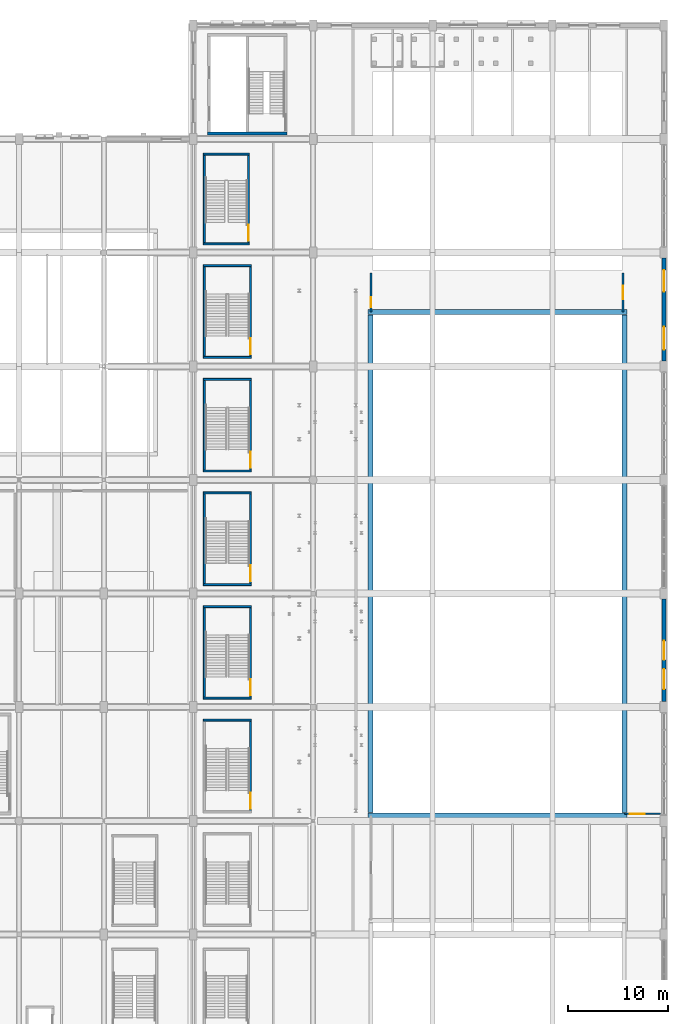
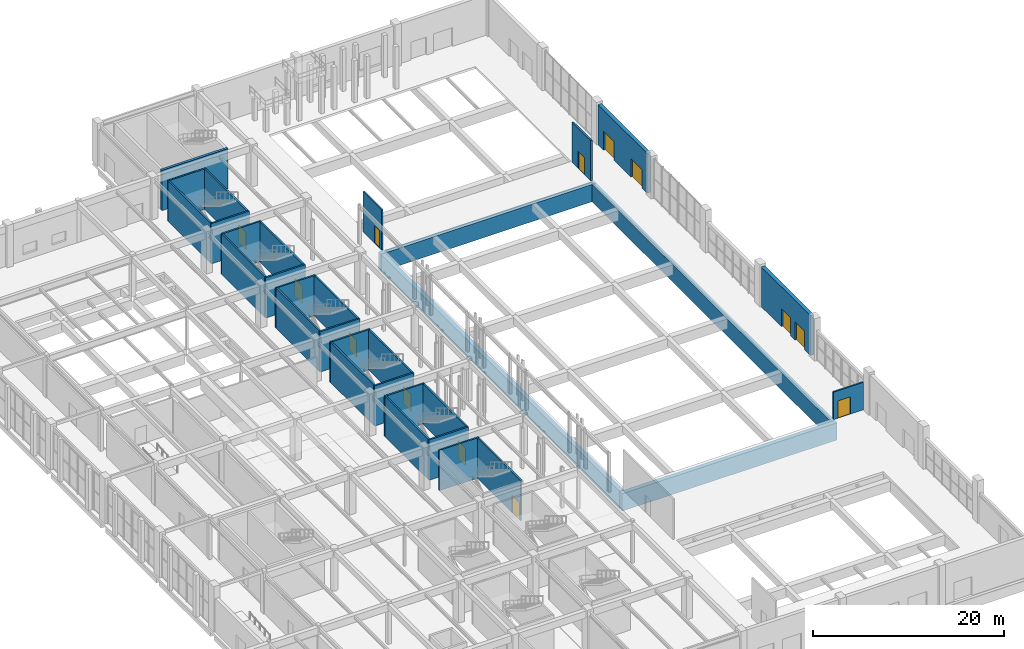
# One storey, part 92 of 113: 32 walls, 13 doors, 13 openings.
"""IFC4 building model written with IfcOpenShell, lengths in metres."""

from ifc_helpers import new_model, si_unit, direction, frame, frame_2d, origin, place, context, subcontext, project, spatial, rectangle, extrude, material, layer, layer_set, type_object, element, fill, save


model = new_model("IFC4")

# Units and contexts
model_context = context("Model", 3, precision=1e-05, world=origin(), true_north=direction((0.0, 1.0)))
body_context = subcontext(model_context, "Body", "Model", "MODEL_VIEW")
ifc_project = project(units=[si_unit("LENGTHUNIT", "METRE"), si_unit("AREAUNIT", "SQUARE_METRE"), si_unit("VOLUMEUNIT", "CUBIC_METRE"), si_unit("PLANEANGLEUNIT", "RADIAN"), si_unit("MASSUNIT", "GRAM", prefix="KILO"), si_unit("POWERUNIT", "WATT"), si_unit("THERMODYNAMICTEMPERATUREUNIT", "KELVIN")], contexts=[model_context])

# Site, building, storey
site_placement = place(None, origin())
site = spatial("IfcSite", under=ifc_project, at=site_placement, CompositionType="ELEMENT")
building_placement = place(site_placement, origin())
building = spatial("IfcBuilding", under=site, at=building_placement, Name="Kelmbourne Parkland Aquatics Centre", CompositionType="ELEMENT")
storey_placement = place(building_placement, origin())
storey = spatial("IfcBuildingStorey", under=building, at=storey_placement, Name="L00", CompositionType="ELEMENT", Elevation=0.0)

# Wall
ifc_material_1 = material(Name="Concrete C40/50", Category="concrete")
ifc_layer_1 = layer(ifc_material_1, 0.300048828125)
ifc_layer_set_1 = layer_set([ifc_layer_1], Name="Concrete C40/50")
wall_type_1 = type_object("IfcWallType", Name="W-CORE-300", PredefinedType="SHEAR", material=ifc_layer_set_1)
wall_1_placement = place(storey_placement, frame((129.39990234375, 103.949951171875, 0.0), z_axis=(0.0, 0.0, 1.0), x_axis=(1.0, 0.0, 0.0)))
element("IfcWall", 1, at=wall_1_placement, inside=storey, type_object=wall_type_1, Name="North Diving Control Fire-Fighting Core south wall (L00)", PredefinedType="SHEAR", context=body_context, shape_type="SweptSolid", body=[
    extrude(rectangle(XDim=8.0, YDim=0.300048828125, at=frame_2d((4.0, 0.0))), origin(), (0.0, 0.0, 1.0), 5.159912109375),
])

# Wall, openings, doors
ifc_material_2 = material(Name="Dark manganite base-course brickwork", Category="masonry")
ifc_layer_2 = layer(ifc_material_2, 0.429931640625)
ifc_layer_set_2 = layer_set([ifc_layer_2], Name="Dark manganite base-course brickwork")
wall_type_2 = type_object("IfcWallType", Name="W-EXT-430", PredefinedType="STANDARD", material=ifc_layer_set_2)
wall_2_placement = place(storey_placement, frame((175.199951171875, 46.951904296875, 0.0), z_axis=(0.0, 0.0, 1.0), x_axis=(0.0, 1.0, 0.0)))
wall_2 = element("IfcWall", 2, at=wall_2_placement, inside=storey, type_object=wall_type_2, Name="Exterior polychrome brick wall EW-L00-048", PredefinedType="STANDARD", context=body_context, shape_type="SweptSolid", body=[
    extrude(rectangle(XDim=10.296142578125, YDim=0.429931640625, at=frame_2d((5.14794921875, 0.0))), origin(), (0.0, 0.0, 1.0), 5.10009765625),
])
opening_1_placement = place(wall_2_placement, frame((1.26513671875, 0.0, 0.0)))
opening_1 = element("IfcOpeningElement", 3, at=opening_1_placement, cuts=wall_2, Name="Opening E35", PredefinedType="OPENING", context=body_context, shape_type="SweptSolid", body=[
    extrude(rectangle(XDim=2.0, YDim=2.35009765625, at=frame_2d((1.0, 1.175048828125))), frame((0.0, 0.22705078125, 0.0), z_axis=(0.0, -1.0, 0.0), x_axis=(1.0, 0.0, 0.0)), (0.0, 0.0, 1.0), 0.453857421875),
])
opening_2_placement = place(wall_2_placement, frame((4.197998046875, 0.0, 0.0)))
opening_2 = element("IfcOpeningElement", 4, at=opening_2_placement, cuts=wall_2, Name="Opening E36", PredefinedType="OPENING", context=body_context, shape_type="SweptSolid", body=[
    extrude(rectangle(XDim=1.89990234375, YDim=2.300048828125, at=frame_2d((0.949951171875, 1.14990234375))), frame((0.0, 0.22705078125, 0.0), z_axis=(0.0, -1.0, 0.0), x_axis=(1.0, 0.0, 0.0)), (0.0, 0.0, 1.0), 0.453857421875),
])
ifc_material_3 = material(Name="Thermally broken anodised aluminium commercial door", Category="aluminium")
ifc_layer_3 = layer(ifc_material_3, 0.06005859375)
ifc_layer_set_3 = layer_set([ifc_layer_3], Name="Thermally broken anodised aluminium commercial door")
door_type_1 = type_object("IfcDoorType", Name="DR-EXT-190", OperationType="NOTDEFINED", PredefinedType="DOOR", material=ifc_layer_set_3)
door_1_placement = place(opening_2_placement, frame((1.89990234375, 0.0, 0.0), z_axis=(0.0, 0.0, 1.0), x_axis=(-1.0, 0.0, 0.0)))
door_1 = element("IfcDoor", 5, at=door_1_placement, inside=storey, type_object=door_type_1, Name="Final exit double door E36", OperationType="DOUBLE_DOOR_SINGLE_SWING", OverallHeight=2.300048828125, OverallWidth=1.89990234375, PredefinedType="DOOR", context=body_context, shape_type="SweptSolid", body=[
    extrude(rectangle(XDim=1.89990234375, YDim=2.300048828125, at=frame_2d((0.949951171875, 1.14990234375))), frame((0.0, 0.02490234375, 0.0), z_axis=(0.0, -1.0, 0.0), x_axis=(1.0, 0.0, 0.0)), (0.0, 0.0, 1.0), 0.050048828125),
])
fill(opening_2, door_1)
ifc_layer_4 = layer(ifc_material_3, 0.06005859375)
ifc_layer_set_4 = layer_set([ifc_layer_4], Name="Thermally broken anodised aluminium commercial door")
door_type_2 = type_object("IfcDoorType", Name="DR-EXT-200", OperationType="NOTDEFINED", PredefinedType="DOOR", material=ifc_layer_set_4)
door_2_placement = place(opening_1_placement, frame((2.0, 0.0, 0.0), z_axis=(0.0, 0.0, 1.0), x_axis=(-1.0, 0.0, 0.0)))
door_2 = element("IfcDoor", 6, at=door_2_placement, inside=storey, type_object=door_type_2, Name="Final exit double door E35", OperationType="DOUBLE_DOOR_SINGLE_SWING", OverallHeight=2.35009765625, OverallWidth=2.0, PredefinedType="DOOR", context=body_context, shape_type="SweptSolid", body=[
    extrude(rectangle(XDim=2.0, YDim=2.35009765625, at=frame_2d((1.0, 1.175048828125))), frame((0.0, 0.02490234375, 0.0), z_axis=(0.0, -1.0, 0.0), x_axis=(1.0, 0.0, 0.0)), (0.0, 0.0, 1.0), 0.050048828125),
])
fill(opening_1, door_2)

wall_3_placement = place(storey_placement, frame((175.199951171875, 81.152099609375, 0.0), z_axis=(0.0, 0.0, 1.0), x_axis=(0.0, 1.0, 0.0)))
wall_3 = element("IfcWall", 7, at=wall_3_placement, inside=storey, type_object=wall_type_2, Name="Exterior polychrome brick wall EW-L00-049", PredefinedType="STANDARD", context=body_context, shape_type="SweptSolid", body=[
    extrude(rectangle(XDim=10.2958984375, YDim=0.429931640625, at=frame_2d((5.14794921875, 0.0))), origin(), (0.0, 0.0, 1.0), 5.10009765625),
])
opening_3_placement = place(wall_3_placement, frame((1.114990234375, 0.0, 0.0)))
opening_3 = element("IfcOpeningElement", 8, at=opening_3_placement, cuts=wall_3, Name="Opening E37", PredefinedType="OPENING", context=body_context, shape_type="SweptSolid", body=[
    extrude(rectangle(XDim=2.300048828125, YDim=2.39990234375, at=frame_2d((1.14990234375, 1.199951171875))), frame((0.0, 0.22705078125, 0.0), z_axis=(0.0, -1.0, 0.0), x_axis=(1.0, 0.0, 0.0)), (0.0, 0.0, 1.0), 0.453857421875),
])
opening_4_placement = place(wall_3_placement, frame((6.955810546875, 0.0, 0.0)))
opening_4 = element("IfcOpeningElement", 9, at=opening_4_placement, cuts=wall_3, Name="Opening E38", PredefinedType="OPENING", context=body_context, shape_type="SweptSolid", body=[
    extrude(rectangle(XDim=2.14990234375, YDim=2.39990234375, at=frame_2d((1.074951171875, 1.199951171875))), frame((0.0, 0.22705078125, 0.0), z_axis=(0.0, -1.0, 0.0), x_axis=(1.0, 0.0, 0.0)), (0.0, 0.0, 1.0), 0.453857421875),
])
ifc_layer_5 = layer(ifc_material_3, 0.06005859375)
ifc_layer_set_5 = layer_set([ifc_layer_5], Name="Thermally broken anodised aluminium commercial door")
door_type_3 = type_object("IfcDoorType", Name="DR-EXT-215", OperationType="NOTDEFINED", PredefinedType="DOOR", material=ifc_layer_set_5)
door_3_placement = place(opening_4_placement, frame((2.14990234375, 0.0, 0.0), z_axis=(0.0, 0.0, 1.0), x_axis=(-1.0, 0.0, 0.0)))
door_3 = element("IfcDoor", 10, at=door_3_placement, inside=storey, type_object=door_type_3, Name="Final exit double door E38", OperationType="DOUBLE_DOOR_SINGLE_SWING", OverallHeight=2.39990234375, OverallWidth=2.14990234375, PredefinedType="DOOR", context=body_context, shape_type="SweptSolid", body=[
    extrude(rectangle(XDim=2.14990234375, YDim=2.39990234375, at=frame_2d((1.074951171875, 1.199951171875))), frame((0.0, 0.02490234375, 0.0), z_axis=(0.0, -1.0, 0.0), x_axis=(1.0, 0.0, 0.0)), (0.0, 0.0, 1.0), 0.050048828125),
])
fill(opening_4, door_3)
ifc_layer_6 = layer(ifc_material_3, 0.06005859375)
ifc_layer_set_6 = layer_set([ifc_layer_6], Name="Thermally broken anodised aluminium commercial door")
door_type_4 = type_object("IfcDoorType", Name="DR-EXT-230", OperationType="NOTDEFINED", PredefinedType="DOOR", material=ifc_layer_set_6)
door_4_placement = place(opening_3_placement, frame((2.300048828125, 0.0, 0.0), z_axis=(0.0, 0.0, 1.0), x_axis=(-1.0, 0.0, 0.0)))
door_4 = element("IfcDoor", 11, at=door_4_placement, inside=storey, type_object=door_type_4, Name="Final exit double door E37", OperationType="DOUBLE_DOOR_SINGLE_SWING", OverallHeight=2.39990234375, OverallWidth=2.300048828125, PredefinedType="DOOR", context=body_context, shape_type="SweptSolid", body=[
    extrude(rectangle(XDim=2.300048828125, YDim=2.39990234375, at=frame_2d((1.14990234375, 1.199951171875))), frame((0.0, 0.02490234375, 0.0), z_axis=(0.0, -1.0, 0.0), x_axis=(1.0, 0.0, 0.0)), (0.0, 0.0, 1.0), 0.050048828125),
])
fill(opening_3, door_4)

# Walls
ifc_material_4 = material(Name="Concrete blockwork C32/40", Category="masonry")
ifc_layer_7 = layer(ifc_material_4, 0.199951171875)
ifc_layer_set_7 = layer_set([ifc_layer_7], Name="Concrete blockwork C32/40")
wall_type_3 = type_object("IfcWallType", Name="W-FIRE-200", PredefinedType="SOLIDWALL", material=ifc_layer_set_7)
for number, where, z_axis, x_axis, name in (
    (12, (129.0, 92.89990234375, 0.0), (0.0, 0.0, 1.0), (1.0, 0.0, 0.0), "Main Bowl North Concourse Exit Stair south enclosure (L00)"),
    (13, (129.0, 101.89990234375, 0.0), (0.0, 0.0, 1.0), (1.0, 0.0, 0.0), "Main Bowl North Concourse Exit Stair north enclosure (L00)"),
):
    element("IfcWall", number, at=place(storey_placement, frame(where, z_axis=z_axis, x_axis=x_axis)), inside=storey, type_object=wall_type_3, Name=name, PredefinedType="SOLIDWALL", context=body_context, shape_type="SweptSolid", body=[
        extrude(rectangle(XDim=4.60009765625, YDim=0.199951171875, at=frame_2d((2.300048828125, 0.0))), origin(), (0.0, 0.0, 1.0), 5.159912109375),
    ])
wall_4_placement = place(storey_placement, frame((129.10009765625, 93.0, 0.0), z_axis=(0.0, 0.0, 1.0), x_axis=(0.0, 1.0, 0.0)))
element("IfcWall", 14, at=wall_4_placement, inside=storey, type_object=wall_type_3, Name="Main Bowl North Concourse Exit Stair west enclosure (L00)", PredefinedType="SOLIDWALL", context=body_context, shape_type="SweptSolid", body=[
    extrude(rectangle(XDim=8.800048828125, YDim=0.199951171875, at=frame_2d((4.39990234375, 0.0))), origin(), (0.0, 0.0, 1.0), 5.159912109375),
])

# Wall, opening, door
wall_5_placement = place(storey_placement, frame((133.5, 93.0, 0.0), z_axis=(0.0, 0.0, 1.0), x_axis=(0.0, 1.0, 0.0)))
wall_5 = element("IfcWall", 15, at=wall_5_placement, inside=storey, type_object=wall_type_3, Name="Main Bowl North Concourse Exit Stair east enclosure (L00)", PredefinedType="SOLIDWALL", context=body_context, shape_type="SweptSolid", body=[
    extrude(rectangle(XDim=8.800048828125, YDim=0.199951171875, at=frame_2d((4.39990234375, 0.0))), origin(), (0.0, 0.0, 1.0), 5.159912109375),
])
opening_5_placement = place(wall_5_placement, frame((0.219970703125, 0.0, 0.0)))
opening_5 = element("IfcOpeningElement", 16, at=opening_5_placement, cuts=wall_5, Name="Opening FD02", PredefinedType="OPENING", context=body_context, shape_type="SweptSolid", body=[
    extrude(rectangle(XDim=1.60009765625, YDim=2.199951171875, at=frame_2d((0.800048828125, 1.10009765625))), frame((0.0, 0.11181640625, 0.0), z_axis=(0.0, -1.0, 0.0), x_axis=(1.0, 0.0, 0.0)), (0.0, 0.0, 1.0), 0.223876953125),
])
ifc_material_5 = material(Name="Marine-grade stainless steel and fire-rated hardwood doorset", Category="steel")
ifc_layer_8 = layer(ifc_material_5, 0.050048828125)
ifc_layer_set_8 = layer_set([ifc_layer_8], Name="Marine-grade stainless steel and fire-rated hardwood doorset")
door_type_5 = type_object("IfcDoorType", Name="DR-FD-160", OperationType="NOTDEFINED", PredefinedType="DOOR", material=ifc_layer_set_8)
door_5_placement = place(opening_5_placement, frame((1.60009765625, 0.0, 0.0), z_axis=(0.0, 0.0, 1.0), x_axis=(-1.0, 0.0, 0.0)))
door_5 = element("IfcDoor", 17, at=door_5_placement, inside=storey, type_object=door_type_5, Name="Exit stair fire door ST11 (L00)", OperationType="DOUBLE_DOOR_SINGLE_SWING", OverallHeight=2.199951171875, OverallWidth=1.60009765625, PredefinedType="DOOR", context=body_context, shape_type="SweptSolid", body=[
    extrude(rectangle(XDim=1.60009765625, YDim=2.199951171875, at=frame_2d((0.800048828125, 1.10009765625))), frame((0.0, 0.02490234375, 0.0), z_axis=(0.0, -1.0, 0.0), x_axis=(1.0, 0.0, 0.0)), (0.0, 0.0, 1.0), 0.050048828125),
])
fill(opening_5, door_5)

# Wall
wall_6_placement = place(storey_placement, frame((129.0, 45.10009765625, 0.0), z_axis=(0.0, 0.0, 1.0), x_axis=(1.0, 0.0, 0.0)))
element("IfcWall", 18, at=wall_6_placement, inside=storey, type_object=wall_type_3, Name="Spectator Bowl Exit Stair Bay 4 north enclosure (L00)", PredefinedType="SOLIDWALL", context=body_context, shape_type="SweptSolid", body=[
    extrude(rectangle(XDim=4.800048828125, YDim=0.199951171875, at=frame_2d((2.39990234375, 0.0))), origin(), (0.0, 0.0, 1.0), 5.159912109375),
])

# Wall, opening, door
wall_7_placement = place(storey_placement, frame((133.699951171875, 36.0, 0.0), z_axis=(0.0, 0.0, 1.0), x_axis=(0.0, 1.0, 0.0)))
wall_7 = element("IfcWall", 19, at=wall_7_placement, inside=storey, type_object=wall_type_3, Name="Spectator Bowl Exit Stair Bay 4 east enclosure (L00)", PredefinedType="SOLIDWALL", context=body_context, shape_type="SweptSolid", body=[
    extrude(rectangle(XDim=9.0, YDim=0.199951171875, at=frame_2d((4.5, 0.0))), origin(), (0.0, 0.0, 1.0), 5.159912109375),
])
opening_6_placement = place(wall_7_placement, frame((0.219970703125, 0.0, 0.0)))
opening_6 = element("IfcOpeningElement", 20, at=opening_6_placement, cuts=wall_7, Name="Opening FD02", PredefinedType="OPENING", context=body_context, shape_type="SweptSolid", body=[
    extrude(rectangle(XDim=1.60009765625, YDim=2.199951171875, at=frame_2d((0.800048828125, 1.10009765625))), frame((0.0, 0.11181640625, 0.0), z_axis=(0.0, -1.0, 0.0), x_axis=(1.0, 0.0, 0.0)), (0.0, 0.0, 1.0), 0.223876953125),
])
door_6_placement = place(opening_6_placement, frame((1.60009765625, 0.0, 0.0), z_axis=(0.0, 0.0, 1.0), x_axis=(-1.0, 0.0, 0.0)))
door_6 = element("IfcDoor", 21, at=door_6_placement, inside=storey, type_object=door_type_5, Name="Exit stair fire door ST17 (L00)", OperationType="DOUBLE_DOOR_SINGLE_SWING", OverallHeight=2.199951171875, OverallWidth=1.60009765625, PredefinedType="DOOR", context=body_context, shape_type="SweptSolid", body=[
    extrude(rectangle(XDim=1.60009765625, YDim=2.199951171875, at=frame_2d((0.800048828125, 1.10009765625))), frame((0.0, 0.02490234375, 0.0), z_axis=(0.0, -1.0, 0.0), x_axis=(1.0, 0.0, 0.0)), (0.0, 0.0, 1.0), 0.050048828125),
])
fill(opening_6, door_6)

# Walls
for number, where, z_axis, x_axis, name in (
    (22, (129.0, 47.300048828125, 0.0), (0.0, 0.0, 1.0), (1.0, 0.0, 0.0), "Spectator Bowl Exit Stair Bay 5 south enclosure (L00)"),
    (23, (129.0, 56.5, 0.0), (0.0, 0.0, 1.0), (1.0, 0.0, 0.0), "Spectator Bowl Exit Stair Bay 5 north enclosure (L00)"),
):
    element("IfcWall", number, at=place(storey_placement, frame(where, z_axis=z_axis, x_axis=x_axis)), inside=storey, type_object=wall_type_3, Name=name, PredefinedType="SOLIDWALL", context=body_context, shape_type="SweptSolid", body=[
        extrude(rectangle(XDim=4.800048828125, YDim=0.199951171875, at=frame_2d((2.39990234375, 0.0))), origin(), (0.0, 0.0, 1.0), 5.159912109375),
    ])
wall_8_placement = place(storey_placement, frame((129.10009765625, 47.39990234375, 0.0), z_axis=(0.0, 0.0, 1.0), x_axis=(0.0, 1.0, 0.0)))
element("IfcWall", 24, at=wall_8_placement, inside=storey, type_object=wall_type_3, Name="Spectator Bowl Exit Stair Bay 5 west enclosure (L00)", PredefinedType="SOLIDWALL", context=body_context, shape_type="SweptSolid", body=[
    extrude(rectangle(XDim=9.0, YDim=0.199951171875, at=frame_2d((4.5, 0.0))), origin(), (0.0, 0.0, 1.0), 5.159912109375),
])

# Wall, opening, door
wall_9_placement = place(storey_placement, frame((133.699951171875, 47.39990234375, 0.0), z_axis=(0.0, 0.0, 1.0), x_axis=(0.0, 1.0, 0.0)))
wall_9 = element("IfcWall", 25, at=wall_9_placement, inside=storey, type_object=wall_type_3, Name="Spectator Bowl Exit Stair Bay 5 east enclosure (L00)", PredefinedType="SOLIDWALL", context=body_context, shape_type="SweptSolid", body=[
    extrude(rectangle(XDim=9.0, YDim=0.199951171875, at=frame_2d((4.5, 0.0))), origin(), (0.0, 0.0, 1.0), 5.159912109375),
])
opening_7_placement = place(wall_9_placement, frame((0.219970703125, 0.0, 0.0)))
opening_7 = element("IfcOpeningElement", 26, at=opening_7_placement, cuts=wall_9, Name="Opening FD02", PredefinedType="OPENING", context=body_context, shape_type="SweptSolid", body=[
    extrude(rectangle(XDim=1.60009765625, YDim=2.199951171875, at=frame_2d((0.800048828125, 1.10009765625))), frame((0.0, 0.11181640625, 0.0), z_axis=(0.0, -1.0, 0.0), x_axis=(1.0, 0.0, 0.0)), (0.0, 0.0, 1.0), 0.223876953125),
])
door_7_placement = place(opening_7_placement, frame((1.60009765625, 0.0, 0.0), z_axis=(0.0, 0.0, 1.0), x_axis=(-1.0, 0.0, 0.0)))
door_7 = element("IfcDoor", 27, at=door_7_placement, inside=storey, type_object=door_type_5, Name="Exit stair fire door ST18 (L00)", OperationType="DOUBLE_DOOR_SINGLE_SWING", OverallHeight=2.199951171875, OverallWidth=1.60009765625, PredefinedType="DOOR", context=body_context, shape_type="SweptSolid", body=[
    extrude(rectangle(XDim=1.60009765625, YDim=2.199951171875, at=frame_2d((0.800048828125, 1.10009765625))), frame((0.0, 0.02490234375, 0.0), z_axis=(0.0, -1.0, 0.0), x_axis=(1.0, 0.0, 0.0)), (0.0, 0.0, 1.0), 0.050048828125),
])
fill(opening_7, door_7)

# Walls
for number, where, z_axis, x_axis, name in (
    (28, (129.0, 58.699951171875, 0.0), (0.0, 0.0, 1.0), (1.0, 0.0, 0.0), "Spectator Bowl Exit Stair Bay 6 south enclosure (L00)"),
    (29, (129.0, 67.89990234375, 0.0), (0.0, 0.0, 1.0), (1.0, 0.0, 0.0), "Spectator Bowl Exit Stair Bay 6 north enclosure (L00)"),
):
    element("IfcWall", number, at=place(storey_placement, frame(where, z_axis=z_axis, x_axis=x_axis)), inside=storey, type_object=wall_type_3, Name=name, PredefinedType="SOLIDWALL", context=body_context, shape_type="SweptSolid", body=[
        extrude(rectangle(XDim=4.800048828125, YDim=0.199951171875, at=frame_2d((2.39990234375, 0.0))), origin(), (0.0, 0.0, 1.0), 5.159912109375),
    ])
wall_10_placement = place(storey_placement, frame((129.10009765625, 58.800048828125, 0.0), z_axis=(0.0, 0.0, 1.0), x_axis=(0.0, 1.0, 0.0)))
element("IfcWall", 30, at=wall_10_placement, inside=storey, type_object=wall_type_3, Name="Spectator Bowl Exit Stair Bay 6 west enclosure (L00)", PredefinedType="SOLIDWALL", context=body_context, shape_type="SweptSolid", body=[
    extrude(rectangle(XDim=9.0, YDim=0.199951171875, at=frame_2d((4.5, 0.0))), origin(), (0.0, 0.0, 1.0), 5.159912109375),
])

# Wall, opening, door
wall_11_placement = place(storey_placement, frame((133.699951171875, 58.800048828125, 0.0), z_axis=(0.0, 0.0, 1.0), x_axis=(0.0, 1.0, 0.0)))
wall_11 = element("IfcWall", 31, at=wall_11_placement, inside=storey, type_object=wall_type_3, Name="Spectator Bowl Exit Stair Bay 6 east enclosure (L00)", PredefinedType="SOLIDWALL", context=body_context, shape_type="SweptSolid", body=[
    extrude(rectangle(XDim=9.0, YDim=0.199951171875, at=frame_2d((4.5, 0.0))), origin(), (0.0, 0.0, 1.0), 5.159912109375),
])
opening_8_placement = place(wall_11_placement, frame((0.219970703125, 0.0, 0.0)))
opening_8 = element("IfcOpeningElement", 32, at=opening_8_placement, cuts=wall_11, Name="Opening FD02", PredefinedType="OPENING", context=body_context, shape_type="SweptSolid", body=[
    extrude(rectangle(XDim=1.60009765625, YDim=2.199951171875, at=frame_2d((0.800048828125, 1.10009765625))), frame((0.0, 0.11181640625, 0.0), z_axis=(0.0, -1.0, 0.0), x_axis=(1.0, 0.0, 0.0)), (0.0, 0.0, 1.0), 0.223876953125),
])
door_8_placement = place(opening_8_placement, frame((1.60009765625, 0.0, 0.0), z_axis=(0.0, 0.0, 1.0), x_axis=(-1.0, 0.0, 0.0)))
door_8 = element("IfcDoor", 33, at=door_8_placement, inside=storey, type_object=door_type_5, Name="Exit stair fire door ST19 (L00)", OperationType="DOUBLE_DOOR_SINGLE_SWING", OverallHeight=2.199951171875, OverallWidth=1.60009765625, PredefinedType="DOOR", context=body_context, shape_type="SweptSolid", body=[
    extrude(rectangle(XDim=1.60009765625, YDim=2.199951171875, at=frame_2d((0.800048828125, 1.10009765625))), frame((0.0, 0.02490234375, 0.0), z_axis=(0.0, -1.0, 0.0), x_axis=(1.0, 0.0, 0.0)), (0.0, 0.0, 1.0), 0.050048828125),
])
fill(opening_8, door_8)

# Walls
for number, where, z_axis, x_axis, name in (
    (34, (129.0, 70.10009765625, 0.0), (0.0, 0.0, 1.0), (1.0, 0.0, 0.0), "Spectator Bowl Exit Stair Bay 7 south enclosure (L00)"),
    (35, (129.0, 79.300048828125, 0.0), (0.0, 0.0, 1.0), (1.0, 0.0, 0.0), "Spectator Bowl Exit Stair Bay 7 north enclosure (L00)"),
):
    element("IfcWall", number, at=place(storey_placement, frame(where, z_axis=z_axis, x_axis=x_axis)), inside=storey, type_object=wall_type_3, Name=name, PredefinedType="SOLIDWALL", context=body_context, shape_type="SweptSolid", body=[
        extrude(rectangle(XDim=4.800048828125, YDim=0.199951171875, at=frame_2d((2.39990234375, 0.0))), origin(), (0.0, 0.0, 1.0), 5.159912109375),
    ])
wall_12_placement = place(storey_placement, frame((129.10009765625, 70.199951171875, 0.0), z_axis=(0.0, 0.0, 1.0), x_axis=(0.0, 1.0, 0.0)))
element("IfcWall", 36, at=wall_12_placement, inside=storey, type_object=wall_type_3, Name="Spectator Bowl Exit Stair Bay 7 west enclosure (L00)", PredefinedType="SOLIDWALL", context=body_context, shape_type="SweptSolid", body=[
    extrude(rectangle(XDim=9.0, YDim=0.199951171875, at=frame_2d((4.5, 0.0))), origin(), (0.0, 0.0, 1.0), 5.159912109375),
])

# Wall, opening, door
wall_13_placement = place(storey_placement, frame((133.699951171875, 70.199951171875, 0.0), z_axis=(0.0, 0.0, 1.0), x_axis=(0.0, 1.0, 0.0)))
wall_13 = element("IfcWall", 37, at=wall_13_placement, inside=storey, type_object=wall_type_3, Name="Spectator Bowl Exit Stair Bay 7 east enclosure (L00)", PredefinedType="SOLIDWALL", context=body_context, shape_type="SweptSolid", body=[
    extrude(rectangle(XDim=9.0, YDim=0.199951171875, at=frame_2d((4.5, 0.0))), origin(), (0.0, 0.0, 1.0), 5.159912109375),
])
opening_9_placement = place(wall_13_placement, frame((0.219970703125, 0.0, 0.0)))
opening_9 = element("IfcOpeningElement", 38, at=opening_9_placement, cuts=wall_13, Name="Opening FD02", PredefinedType="OPENING", context=body_context, shape_type="SweptSolid", body=[
    extrude(rectangle(XDim=1.60009765625, YDim=2.199951171875, at=frame_2d((0.800048828125, 1.10009765625))), frame((0.0, 0.11181640625, 0.0), z_axis=(0.0, -1.0, 0.0), x_axis=(1.0, 0.0, 0.0)), (0.0, 0.0, 1.0), 0.223876953125),
])
door_9_placement = place(opening_9_placement, frame((1.60009765625, 0.0, 0.0), z_axis=(0.0, 0.0, 1.0), x_axis=(-1.0, 0.0, 0.0)))
door_9 = element("IfcDoor", 39, at=door_9_placement, inside=storey, type_object=door_type_5, Name="Exit stair fire door ST20 (L00)", OperationType="DOUBLE_DOOR_SINGLE_SWING", OverallHeight=2.199951171875, OverallWidth=1.60009765625, PredefinedType="DOOR", context=body_context, shape_type="SweptSolid", body=[
    extrude(rectangle(XDim=1.60009765625, YDim=2.199951171875, at=frame_2d((0.800048828125, 1.10009765625))), frame((0.0, 0.02490234375, 0.0), z_axis=(0.0, -1.0, 0.0), x_axis=(1.0, 0.0, 0.0)), (0.0, 0.0, 1.0), 0.050048828125),
])
fill(opening_9, door_9)

# Walls
for number, where, z_axis, x_axis, name in (
    (40, (129.0, 81.5, 0.0), (0.0, 0.0, 1.0), (1.0, 0.0, 0.0), "Spectator Bowl Exit Stair Bay 8 south enclosure (L00)"),
    (41, (129.0, 90.699951171875, 0.0), (0.0, 0.0, 1.0), (1.0, 0.0, 0.0), "Spectator Bowl Exit Stair Bay 8 north enclosure (L00)"),
):
    element("IfcWall", number, at=place(storey_placement, frame(where, z_axis=z_axis, x_axis=x_axis)), inside=storey, type_object=wall_type_3, Name=name, PredefinedType="SOLIDWALL", context=body_context, shape_type="SweptSolid", body=[
        extrude(rectangle(XDim=4.800048828125, YDim=0.199951171875, at=frame_2d((2.39990234375, 0.0))), origin(), (0.0, 0.0, 1.0), 5.159912109375),
    ])
wall_14_placement = place(storey_placement, frame((129.10009765625, 81.60009765625, 0.0), z_axis=(0.0, 0.0, 1.0), x_axis=(0.0, 1.0, 0.0)))
element("IfcWall", 42, at=wall_14_placement, inside=storey, type_object=wall_type_3, Name="Spectator Bowl Exit Stair Bay 8 west enclosure (L00)", PredefinedType="SOLIDWALL", context=body_context, shape_type="SweptSolid", body=[
    extrude(rectangle(XDim=9.0, YDim=0.199951171875, at=frame_2d((4.5, 0.0))), origin(), (0.0, 0.0, 1.0), 5.159912109375),
])

# Wall, opening, door
wall_15_placement = place(storey_placement, frame((133.699951171875, 81.60009765625, 0.0), z_axis=(0.0, 0.0, 1.0), x_axis=(0.0, 1.0, 0.0)))
wall_15 = element("IfcWall", 43, at=wall_15_placement, inside=storey, type_object=wall_type_3, Name="Spectator Bowl Exit Stair Bay 8 east enclosure (L00)", PredefinedType="SOLIDWALL", context=body_context, shape_type="SweptSolid", body=[
    extrude(rectangle(XDim=9.0, YDim=0.199951171875, at=frame_2d((4.5, 0.0))), origin(), (0.0, 0.0, 1.0), 5.159912109375),
])
opening_10_placement = place(wall_15_placement, frame((0.219970703125, 0.0, 0.0)))
opening_10 = element("IfcOpeningElement", 44, at=opening_10_placement, cuts=wall_15, Name="Opening FD02", PredefinedType="OPENING", context=body_context, shape_type="SweptSolid", body=[
    extrude(rectangle(XDim=1.60009765625, YDim=2.199951171875, at=frame_2d((0.800048828125, 1.10009765625))), frame((0.0, 0.11181640625, 0.0), z_axis=(0.0, -1.0, 0.0), x_axis=(1.0, 0.0, 0.0)), (0.0, 0.0, 1.0), 0.223876953125),
])
door_10_placement = place(opening_10_placement, frame((1.60009765625, 0.0, 0.0), z_axis=(0.0, 0.0, 1.0), x_axis=(-1.0, 0.0, 0.0)))
door_10 = element("IfcDoor", 45, at=door_10_placement, inside=storey, type_object=door_type_5, Name="Exit stair fire door ST21 (L00)", OperationType="DOUBLE_DOOR_SINGLE_SWING", OverallHeight=2.199951171875, OverallWidth=1.60009765625, PredefinedType="DOOR", context=body_context, shape_type="SweptSolid", body=[
    extrude(rectangle(XDim=1.60009765625, YDim=2.199951171875, at=frame_2d((0.800048828125, 1.10009765625))), frame((0.0, 0.02490234375, 0.0), z_axis=(0.0, -1.0, 0.0), x_axis=(1.0, 0.0, 0.0)), (0.0, 0.0, 1.0), 0.050048828125),
])
fill(opening_10, door_10)

ifc_layer_9 = layer(ifc_material_4, 0.18994140625)
ifc_layer_set_9 = layer_set([ifc_layer_9], Name="Concrete blockwork C32/40")
wall_type_4 = type_object("IfcWallType", Name="W-SOLID-190", PredefinedType="SOLIDWALL", material=ifc_layer_set_9)
wall_16_placement = place(storey_placement, frame((145.81005859375, 86.050048828125, 0.0), z_axis=(0.0, 0.0, 1.0), x_axis=(0.0, 1.0, 0.0)))
wall_16 = element("IfcWall", 46, at=wall_16_placement, inside=storey, type_object=wall_type_4, Name="Interior partition PT-L00-060", PredefinedType="SOLIDWALL", context=body_context, shape_type="SweptSolid", body=[
    extrude(rectangle(XDim=3.89990234375, YDim=0.18994140625, at=frame_2d((1.949951171875, 0.0))), origin(), (0.0, 0.0, 1.0), 5.159912109375),
])
opening_11_placement = place(wall_16_placement, frame((0.47509765625, 0.0, 0.0)))
opening_11 = element("IfcOpeningElement", 47, at=opening_11_placement, cuts=wall_16, Name="Opening FD04", PredefinedType="OPENING", context=body_context, shape_type="SweptSolid", body=[
    extrude(rectangle(XDim=1.0, YDim=2.199951171875, at=frame_2d((0.5, 1.10009765625))), frame((0.0, 0.10693359375, 0.0), z_axis=(0.0, -1.0, 0.0), x_axis=(1.0, 0.0, 0.0)), (0.0, 0.0, 1.0), 0.2138671875),
])
ifc_layer_10 = layer(ifc_material_5, 0.050048828125)
ifc_layer_set_10 = layer_set([ifc_layer_10], Name="Marine-grade stainless steel and fire-rated hardwood doorset")
door_type_6 = type_object("IfcDoorType", Name="DR-FD-100", OperationType="NOTDEFINED", PredefinedType="DOOR", material=ifc_layer_set_10)
door_11_placement = place(opening_11_placement, origin())
door_11 = element("IfcDoor", 48, at=door_11_placement, inside=storey, type_object=door_type_6, Name="Interior door FD04 (L00-035)", OperationType="SINGLE_SWING_RIGHT", OverallHeight=2.199951171875, OverallWidth=1.0, PredefinedType="DOOR", context=body_context, shape_type="SweptSolid", body=[
    extrude(rectangle(XDim=1.0, YDim=2.199951171875, at=frame_2d((0.5, 1.10009765625))), frame((0.0, 0.02490234375, 0.0), z_axis=(0.0, -1.0, 0.0), x_axis=(1.0, 0.0, 0.0)), (0.0, 0.0, 1.0), 0.050048828125),
])
fill(opening_11, door_11)

wall_17_placement = place(storey_placement, frame((171.25, 35.7099609375, 0.0), z_axis=(0.0, 0.0, 1.0), x_axis=(1.0, 0.0, 0.0)))
wall_17 = element("IfcWall", 49, at=wall_17_placement, inside=storey, type_object=wall_type_4, Name="Interior partition PT-L00-061", PredefinedType="SOLIDWALL", context=body_context, shape_type="SweptSolid", body=[
    extrude(rectangle(XDim=3.60009765625, YDim=0.18994140625, at=frame_2d((1.800048828125, 0.0))), origin(), (0.0, 0.0, 1.0), 3.510009765625),
])
opening_12_placement = place(wall_17_placement, frame((0.510009765625, 0.0, 0.0)))
opening_12 = element("IfcOpeningElement", 50, at=opening_12_placement, cuts=wall_17, Name="Opening ID02", PredefinedType="OPENING", context=body_context, shape_type="SweptSolid", body=[
    extrude(rectangle(XDim=1.5, YDim=2.199951171875, at=frame_2d((0.75, 1.10009765625))), frame((0.0, 0.10693359375, 0.0), z_axis=(0.0, -1.0, 0.0), x_axis=(1.0, 0.0, 0.0)), (0.0, 0.0, 1.0), 0.2138671875),
])
ifc_material_6 = material(Name="Marine-grade stainless steel and solid-core hardwood doorset", Category="timber")
ifc_layer_11 = layer(ifc_material_6, 0.050048828125)
ifc_layer_set_11 = layer_set([ifc_layer_11], Name="Marine-grade stainless steel and solid-core hardwood doorset")
door_type_7 = type_object("IfcDoorType", Name="DR-INT-150", OperationType="NOTDEFINED", PredefinedType="DOOR", material=ifc_layer_set_11)
door_12_placement = place(opening_12_placement, origin())
door_12 = element("IfcDoor", 51, at=door_12_placement, inside=storey, type_object=door_type_7, Name="Interior door ID02 (L00-036)", OperationType="DOUBLE_DOOR_SINGLE_SWING", OverallHeight=2.199951171875, OverallWidth=1.5, PredefinedType="DOOR", context=body_context, shape_type="SweptSolid", body=[
    extrude(rectangle(XDim=1.5, YDim=2.199951171875, at=frame_2d((0.75, 1.10009765625))), frame((0.0, 0.02490234375, 0.0), z_axis=(0.0, -1.0, 0.0), x_axis=(1.0, 0.0, 0.0)), (0.0, 0.0, 1.0), 0.050048828125),
])
fill(opening_12, door_12)

wall_18_placement = place(storey_placement, frame((171.090087890625, 86.050048828125, 0.0), z_axis=(0.0, 0.0, 1.0), x_axis=(0.0, 1.0, 0.0)))
wall_18 = element("IfcWall", 52, at=wall_18_placement, inside=storey, type_object=wall_type_4, Name="Interior partition PT-L00-062", PredefinedType="SOLIDWALL", context=body_context, shape_type="SweptSolid", body=[
    extrude(rectangle(XDim=3.89990234375, YDim=0.18994140625, at=frame_2d((1.949951171875, 0.0))), origin(), (0.0, 0.0, 1.0), 5.159912109375),
])
opening_13_placement = place(wall_18_placement, frame((1.27490234375, 0.0, 0.0)))
opening_13 = element("IfcOpeningElement", 53, at=opening_13_placement, cuts=wall_18, Name="Opening ID08", PredefinedType="OPENING", context=body_context, shape_type="SweptSolid", body=[
    extrude(rectangle(XDim=1.35009765625, YDim=2.199951171875, at=frame_2d((0.675048828125, 1.10009765625))), frame((0.0, 0.10693359375, 0.0), z_axis=(0.0, -1.0, 0.0), x_axis=(1.0, 0.0, 0.0)), (0.0, 0.0, 1.0), 0.2138671875),
])
ifc_layer_12 = layer(ifc_material_6, 0.050048828125)
ifc_layer_set_12 = layer_set([ifc_layer_12], Name="Marine-grade stainless steel and solid-core hardwood doorset")
door_type_8 = type_object("IfcDoorType", Name="DR-INT-135", OperationType="NOTDEFINED", PredefinedType="DOOR", material=ifc_layer_set_12)
door_13_placement = place(opening_13_placement, origin())
door_13 = element("IfcDoor", 54, at=door_13_placement, inside=storey, type_object=door_type_8, Name="Interior door ID08 (L00-037)", OperationType="DOUBLE_DOOR_SINGLE_SWING", OverallHeight=2.199951171875, OverallWidth=1.35009765625, PredefinedType="DOOR", context=body_context, shape_type="SweptSolid", body=[
    extrude(rectangle(XDim=1.35009765625, YDim=2.199951171875, at=frame_2d((0.675048828125, 1.10009765625))), frame((0.0, 0.02490234375, 0.0), z_axis=(0.0, -1.0, 0.0), x_axis=(1.0, 0.0, 0.0)), (0.0, 0.0, 1.0), 0.050048828125),
])
fill(opening_13, door_13)

# Walls
ifc_material_7 = material(Name="Waterproof concrete C50/60", Category="concrete")
ifc_layer_13 = layer(ifc_material_7, 0.5)
ifc_layer_set_13 = layer_set([ifc_layer_13], Name="Waterproof concrete C50/60")
wall_type_5 = type_object("IfcWallType", Name="W-TANK-500", PredefinedType="SHEAR", material=ifc_layer_set_13)
for number, where, z_axis, x_axis, name in (
    (55, (145.5, 35.550048828125, -2.5), (0.0, 0.0, 1.0), (1.0, 0.0, 0.0), "50m Competition Pool Tank tank wall S"),
    (56, (145.5, 86.050048828125, -2.5), (0.0, 0.0, 1.0), (1.0, 0.0, 0.0), "50m Competition Pool Tank tank wall N"),
):
    element("IfcWall", number, at=place(storey_placement, frame(where, z_axis=z_axis, x_axis=x_axis)), inside=storey, type_object=wall_type_5, Name=name, PredefinedType="SHEAR", context=body_context, shape_type="SweptSolid", body=[
        extrude(rectangle(XDim=26.0, YDim=0.5, at=frame_2d((13.0, 0.0))), origin(), (0.0, 0.0, 1.0), 2.219970703125),
    ])
for number, where, z_axis, x_axis, name in (
    (57, (145.75, 35.85009765625, -2.5), (0.0, 0.0, 1.0), (0.0, 1.0, 0.0), "50m Competition Pool Tank tank wall W"),
    (58, (171.25, 35.85009765625, -2.5), (0.0, 0.0, 1.0), (0.0, 1.0, 0.0), "50m Competition Pool Tank tank wall E"),
):
    element("IfcWall", number, at=place(storey_placement, frame(where, z_axis=z_axis, x_axis=x_axis)), inside=storey, type_object=wall_type_5, Name=name, PredefinedType="SHEAR", context=body_context, shape_type="SweptSolid", body=[
        extrude(rectangle(XDim=49.89990234375, YDim=0.5, at=frame_2d((24.949951171875, 0.0))), origin(), (0.0, 0.0, 1.0), 2.219970703125),
    ])

save(model, "model.ifc")
